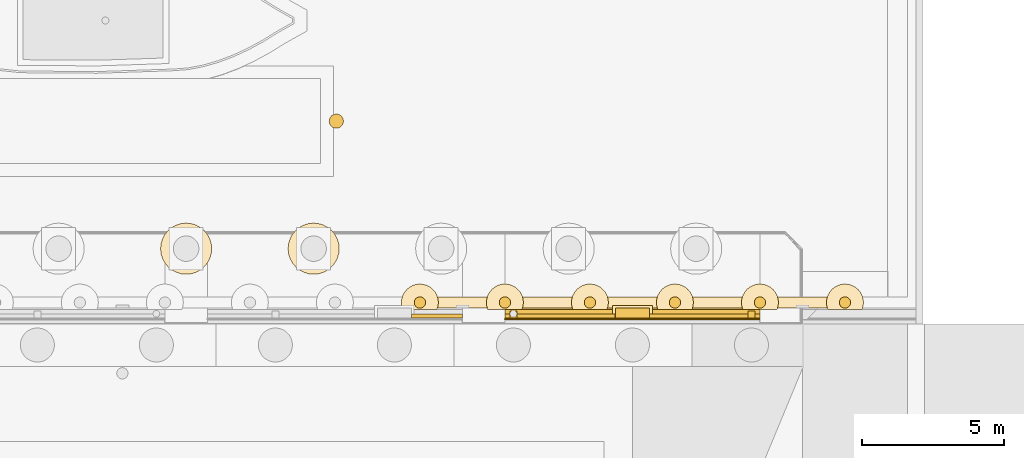
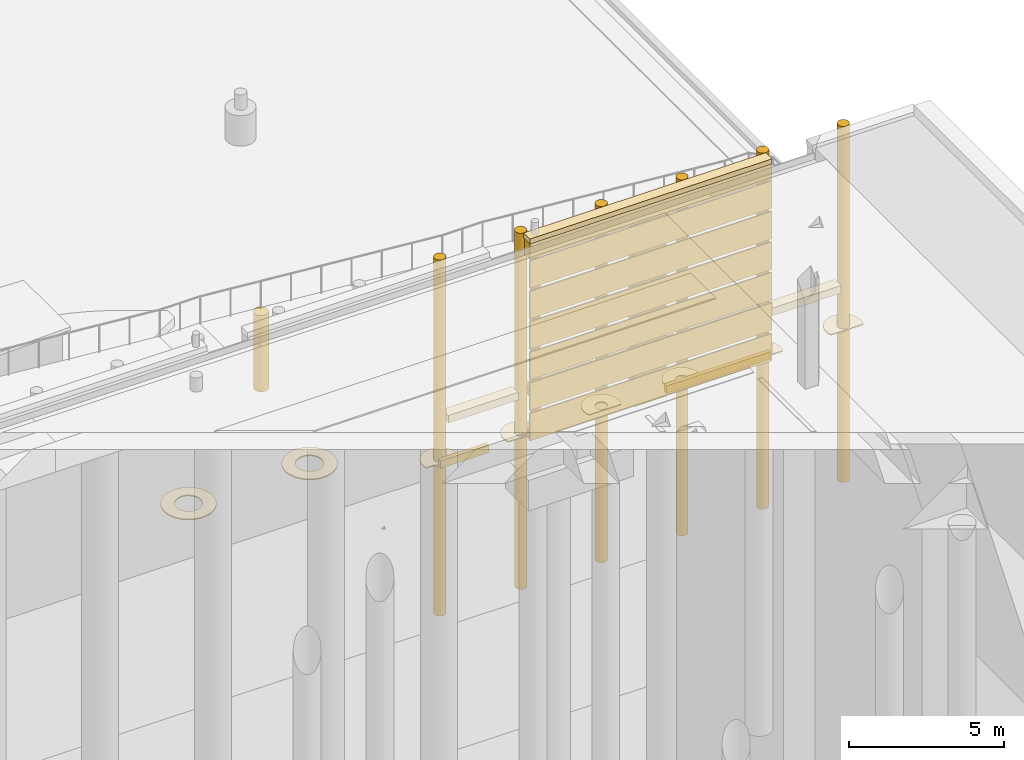
# One storey, part 203 of 222: 35 coverings.
"""IFC4 building model written with IfcOpenShell, lengths in metres."""

from ifc_helpers import new_model, si_unit, direction, frame, origin, origin_2d, place, context, subcontext, project, spatial, polyline, circle, outline, extrude, material, layer, layer_set, type_object, element, save


model = new_model("IFC4")

# Units and contexts
model_context = context("Model", 3, precision=1e-05, world=origin(), true_north=direction((0.0, 1.0)))
body_context = subcontext(model_context, "Body", "Model", "MODEL_VIEW")
ifc_project = project(units=[si_unit("LENGTHUNIT", "METRE"), si_unit("AREAUNIT", "SQUARE_METRE"), si_unit("VOLUMEUNIT", "CUBIC_METRE"), si_unit("PLANEANGLEUNIT", "RADIAN"), si_unit("MASSUNIT", "GRAM", prefix="KILO")], contexts=[model_context])

# Site, building, storey
site_placement = place(None, origin())
site = spatial("IfcSite", under=ifc_project, at=site_placement, CompositionType="ELEMENT")
building_placement = place(site_placement, origin())
building = spatial("IfcBuilding", under=site, at=building_placement, Name="Sava Quay Ferry Terminal", CompositionType="ELEMENT")
storey_placement = place(building_placement, origin())
storey = spatial("IfcBuildingStorey", under=building, at=storey_placement, Name="L00", CompositionType="ELEMENT", Elevation=0.0)

# Coverings
ifc_material_1 = material(Name="Greenheart timber", Category="wood")
ifc_layer_1 = layer(ifc_material_1, 0.25)
ifc_layer_set_1 = layer_set([ifc_layer_1], Name="Greenheart timber")
covering_type_1 = type_object("IfcCoveringType", Name="Fender post 250", PredefinedType="CLADDING", material=ifc_layer_set_1)
covering_1_placement = place(storey_placement, frame((0.0, 0.0, -7.60009765625)))
element("IfcCovering", 1, at=covering_1_placement, inside=storey, type_object=covering_type_1, Name="Fender post", PredefinedType="CLADDING", context=body_context, shape_type="SweptSolid", body=[
    extrude(outline(polyline([(163.925048828125, 118.550048828125), (163.925048828125, 118.800048828125), (163.675048828125, 118.800048828125), (163.675048828125, 118.550048828125), (163.925048828125, 118.550048828125)])), origin(), (0.0, 0.0, 1.0), 6.650146484375),
])
covering_2_placement = place(storey_placement, frame((0.0, 0.0, -7.60009765625)))
element("IfcCovering", 2, at=covering_2_placement, inside=storey, type_object=covering_type_1, Name="Fender post", PredefinedType="CLADDING", context=body_context, shape_type="SweptSolid", body=[
    extrude(outline(polyline([(172.324951171875, 118.550048828125), (172.324951171875, 118.800048828125), (172.074951171875, 118.800048828125), (172.074951171875, 118.550048828125), (172.324951171875, 118.550048828125)])), origin(), (0.0, 0.0, 1.0), 6.650146484375),
])
ifc_material_2 = material(Name="Greenheart timber", Category="wood")
ifc_layer_2 = layer(ifc_material_2, 0.14990234375)
ifc_layer_set_2 = layer_set([ifc_layer_2], Name="Greenheart timber")
covering_type_2 = type_object("IfcCoveringType", Name="Fender rubbing strip 150", PredefinedType="CLADDING", material=ifc_layer_set_2)
covering_3_placement = place(storey_placement, frame((0.0, 0.0, -7.89990234375)))
element("IfcCovering", 3, at=covering_3_placement, inside=storey, type_object=covering_type_2, Name="Fender rubbing strip", PredefinedType="CLADDING", context=body_context, shape_type="SweptSolid", body=[
    extrude(outline(polyline([(172.5, 118.550048828125), (172.5, 118.699951171875), (168.610107421875, 118.699951171875), (168.610107421875, 118.550048828125), (172.5, 118.550048828125)])), origin(), (0.0, 0.0, 1.0), 0.2998046875),
])
covering_4_placement = place(storey_placement, frame((0.0, 0.0, -7.89990234375)))
element("IfcCovering", 4, at=covering_4_placement, inside=storey, type_object=covering_type_2, Name="Fender rubbing strip", PredefinedType="CLADDING", context=body_context, shape_type="SweptSolid", body=[
    extrude(outline(polyline([(163.5, 118.550048828125), (167.389892578125, 118.550048828125), (167.389892578125, 118.699951171875), (163.5, 118.699951171875), (163.5, 118.550048828125)])), origin(), (0.0, 0.0, 1.0), 0.2998046875),
])
covering_5_placement = place(storey_placement, frame((0.0, 0.0, -7.89990234375)))
element("IfcCovering", 5, at=covering_5_placement, inside=storey, type_object=covering_type_2, Name="Fender rubbing strip", PredefinedType="CLADDING", context=body_context, shape_type="SweptSolid", body=[
    extrude(outline(polyline([(162.0, 118.550048828125), (162.0, 118.699951171875), (160.2099609375, 118.699951171875), (160.2099609375, 118.550048828125), (162.0, 118.550048828125)])), origin(), (0.0, 0.0, 1.0), 0.2998046875),
])
ifc_material_3 = material(Name="Timber", Category="wood")
ifc_layer_3 = layer(ifc_material_3, 0.5)
ifc_layer_set_3 = layer_set([ifc_layer_3], Name="Timber")
covering_type_3 = type_object("IfcCoveringType", Name="Pontoon dolphin post 500", PredefinedType="CLADDING", material=ifc_layer_set_3)
covering_6_placement = place(storey_placement, frame((157.550048828125, 125.5, -5.0), z_axis=(0.0, 0.0, -1.0), x_axis=(1.0, 0.0, 0.0)))
element("IfcCovering", 6, at=covering_6_placement, inside=storey, type_object=covering_type_3, Name="Pontoon dolphin post", PredefinedType="CLADDING", context=body_context, shape_type="SweptSolid", body=[
    extrude(circle(Radius=0.25, at=origin_2d()), origin(), (0.0, 0.0, 1.0), 3.0),
])
ifc_material_4 = material(Name="Timber", Category="wood")
ifc_layer_4 = layer(ifc_material_4, 0.39990234375)
ifc_layer_set_4 = layer_set([ifc_layer_4], Name="Timber")
covering_type_4 = type_object("IfcCoveringType", Name="Quay fender pile 400", PredefinedType="CLADDING", material=ifc_layer_set_4)
for number, where, z_axis, x_axis, name in (
    (7, (160.5, 119.10009765625, 0.0), (0.0, 0.0, -1.0), (1.0, 0.0, 0.0), "Quay fender pile"),
    (8, (163.5, 119.10009765625, 0.0), (0.0, 0.0, -1.0), (1.0, 0.0, 0.0), "Quay fender pile"),
    (9, (166.5, 119.10009765625, 0.0), (0.0, 0.0, -1.0), (1.0, 0.0, 0.0), "Quay fender pile"),
    (10, (169.5, 119.10009765625, 0.0), (0.0, 0.0, -1.0), (1.0, 0.0, 0.0), "Quay fender pile"),
    (11, (172.5, 119.10009765625, 0.0), (0.0, 0.0, -1.0), (1.0, 0.0, 0.0), "Quay fender pile"),
    (12, (175.5, 119.10009765625, 0.0), (0.0, 0.0, -1.0), (1.0, 0.0, 0.0), "Quay fender pile"),
):
    element("IfcCovering", number, at=place(storey_placement, frame(where, z_axis=z_axis, x_axis=x_axis)), inside=storey, type_object=covering_type_4, Name=name, PredefinedType="CLADDING", context=body_context, shape_type="SweptSolid", body=[
        extrude(circle(Radius=0.199951171875, at=origin_2d()), origin(), (0.0, 0.0, 1.0), 14.0),
    ])
ifc_material_5 = material(Name="Timber", Category="wood")
ifc_layer_5 = layer(ifc_material_5, 0.39990234375)
ifc_layer_set_5 = layer_set([ifc_layer_5], Name="Timber")
covering_type_5 = type_object("IfcCoveringType", Name="Quay fender waling", PredefinedType="MOLDING", material=ifc_layer_set_5)
covering_7_placement = place(storey_placement, frame((0.0, 0.0, -6.5)))
element("IfcCovering", 13, at=covering_7_placement, inside=storey, type_object=covering_type_5, Name="Quay fender waling", PredefinedType="MOLDING", context=body_context, shape_type="SweptSolid", body=[
    extrude(outline(polyline([(163.300048828125, 118.89990234375), (163.300048828125, 119.300048828125), (160.699951171875, 119.300048828125), (160.699951171875, 118.89990234375), (163.300048828125, 118.89990234375)])), origin(), (0.0, 0.0, 1.0), 0.300048828125),
])
covering_8_placement = place(storey_placement, frame((0.0, 0.0, -6.5)))
element("IfcCovering", 14, at=covering_8_placement, inside=storey, type_object=covering_type_5, Name="Quay fender waling", PredefinedType="MOLDING", context=body_context, shape_type="SweptSolid", body=[
    extrude(outline(polyline([(166.300048828125, 118.89990234375), (166.300048828125, 119.300048828125), (163.699951171875, 119.300048828125), (163.699951171875, 118.89990234375), (166.300048828125, 118.89990234375)])), origin(), (0.0, 0.0, 1.0), 0.300048828125),
])
covering_9_placement = place(storey_placement, frame((0.0, 0.0, -6.5)))
element("IfcCovering", 15, at=covering_9_placement, inside=storey, type_object=covering_type_5, Name="Quay fender waling", PredefinedType="MOLDING", context=body_context, shape_type="SweptSolid", body=[
    extrude(outline(polyline([(169.300048828125, 118.89990234375), (169.300048828125, 119.300048828125), (166.699951171875, 119.300048828125), (166.699951171875, 118.89990234375), (169.300048828125, 118.89990234375)])), origin(), (0.0, 0.0, 1.0), 0.300048828125),
])
covering_10_placement = place(storey_placement, frame((0.0, 0.0, -6.5)))
element("IfcCovering", 16, at=covering_10_placement, inside=storey, type_object=covering_type_5, Name="Quay fender waling", PredefinedType="MOLDING", context=body_context, shape_type="SweptSolid", body=[
    extrude(outline(polyline([(172.300048828125, 118.89990234375), (172.300048828125, 119.300048828125), (169.699951171875, 119.300048828125), (169.699951171875, 118.89990234375), (172.300048828125, 118.89990234375)])), origin(), (0.0, 0.0, 1.0), 0.300048828125),
])
covering_11_placement = place(storey_placement, frame((0.0, 0.0, -6.5)))
element("IfcCovering", 17, at=covering_11_placement, inside=storey, type_object=covering_type_5, Name="Quay fender waling", PredefinedType="MOLDING", context=body_context, shape_type="SweptSolid", body=[
    extrude(outline(polyline([(175.300048828125, 118.89990234375), (175.300048828125, 119.300048828125), (172.699951171875, 119.300048828125), (172.699951171875, 118.89990234375), (175.300048828125, 118.89990234375)])), origin(), (0.0, 0.0, 1.0), 0.300048828125),
])
ifc_material_6 = material(Name="Limestone Mutalj", Category="masonry")
ifc_layer_6 = layer(ifc_material_6, 0.449951171875)
ifc_layer_set_6 = layer_set([ifc_layer_6], Name="Limestone Mutalj")
covering_type_6 = type_object("IfcCoveringType", Name="Quay pilaster cap 1400", PredefinedType="MOLDING", material=ifc_layer_set_6)
covering_12_placement = place(storey_placement, frame((0.0, 0.0, -0.949951171875)))
element("IfcCovering", 18, at=covering_12_placement, inside=storey, type_object=covering_type_6, Name="Quay pilaster cap", PredefinedType="MOLDING", context=body_context, shape_type="SweptSolid", body=[
    extrude(outline(polyline([(168.699951171875, 118.550048828125), (168.699951171875, 119.0), (167.300048828125, 119.0), (167.300048828125, 118.550048828125), (168.699951171875, 118.550048828125)])), origin(), (0.0, 0.0, 1.0), 0.14990234375),
])
ifc_material_7 = material(Name="Limestone Mutalj", Category="masonry")
ifc_layer_7 = layer(ifc_material_7, 0.39990234375)
ifc_layer_set_7 = layer_set([ifc_layer_7], Name="Limestone Mutalj")
covering_type_7 = type_object("IfcCoveringType", Name="Quay wall coping 400", PredefinedType="MOLDING", material=ifc_layer_set_7)
covering_13_placement = place(storey_placement, frame((0.0, 0.0, -0.199951171875)))
element("IfcCovering", 19, at=covering_13_placement, inside=storey, type_object=covering_type_7, Name="Quay wall coping", PredefinedType="MOLDING", context=body_context, shape_type="SweptSolid", body=[
    extrude(outline(polyline([(172.5, 118.89990234375), (163.5, 118.89990234375), (163.5, 118.5), (172.5, 118.5), (172.5, 118.89990234375)])), origin(), (0.0, 0.0, 1.0), 0.199951171875),
])
ifc_material_8 = material(Name="Limestone Mutalj", Category="masonry")
ifc_layer_8 = layer(ifc_material_8, 0.35009765625)
ifc_layer_set_8 = layer_set([ifc_layer_8], Name="Limestone Mutalj")
covering_type_8 = type_object("IfcCoveringType", Name="Quay wall cornice 350", PredefinedType="MOLDING", material=ifc_layer_set_8)
covering_14_placement = place(storey_placement, frame((0.0, 0.0, -0.800048828125)))
element("IfcCovering", 20, at=covering_14_placement, inside=storey, type_object=covering_type_8, Name="Quay wall cornice", PredefinedType="MOLDING", context=body_context, shape_type="SweptSolid", body=[
    extrude(outline(polyline([(172.5, 118.85009765625), (163.5, 118.85009765625), (163.5, 118.5), (172.5, 118.5), (172.5, 118.85009765625)])), origin(), (0.0, 0.0, 1.0), 0.60009765625),
])
ifc_material_9 = material(Name="Limestone Mutalj", Category="masonry")
ifc_layer_9 = layer(ifc_material_9, 0.35009765625)
ifc_layer_set_9 = layer_set([ifc_layer_9], Name="Limestone Mutalj")
covering_type_9 = type_object("IfcCoveringType", Name="Quay wall pilaster 1200", PredefinedType="CLADDING", material=ifc_layer_set_9)
covering_15_placement = place(storey_placement, frame((0.0, 0.0, -8.0)))
element("IfcCovering", 21, at=covering_15_placement, inside=storey, type_object=covering_type_9, Name="Quay wall pilaster", PredefinedType="CLADDING", context=body_context, shape_type="SweptSolid", body=[
    extrude(outline(polyline([(168.60009765625, 118.550048828125), (168.60009765625, 118.89990234375), (167.39990234375, 118.89990234375), (167.39990234375, 118.550048828125), (168.60009765625, 118.550048828125)])), origin(), (0.0, 0.0, 1.0), 7.050048828125),
])
ifc_material_10 = material(Name="Water")
ifc_layer_10 = layer(ifc_material_10, 0.0400390625)
ifc_layer_set_10 = layer_set([ifc_layer_10], Name="Water")
covering_type_10 = type_object("IfcCoveringType", Name="River foam collar", PredefinedType="CLADDING", material=ifc_layer_set_10)
covering_16_placement = place(storey_placement, frame((0.0, 0.0, -8.0)))
element("IfcCovering", 22, at=covering_16_placement, inside=storey, type_object=covering_type_10, Name="River foam collar", PredefinedType="CLADDING", context=body_context, shape_type="SweptSolid", body=[
    extrude(outline(polyline([(151.364990234375, 120.823974609375), (151.416015625, 120.655029296875), (151.5, 120.4990234375), (151.612060546875, 120.362060546875), (151.7490234375, 120.25), (151.905029296875, 120.166015625), (152.073974609375, 120.114990234375), (152.25, 120.097900390625), (152.426025390625, 120.114990234375), (152.594970703125, 120.166015625), (152.7509765625, 120.25), (152.887939453125, 120.362060546875), (153.0, 120.4990234375), (153.083984375, 120.655029296875), (153.135009765625, 120.823974609375), (153.152099609375, 121.0), (153.135009765625, 121.176025390625), (153.083984375, 121.344970703125), (153.0, 121.5009765625), (152.887939453125, 121.637939453125), (152.7509765625, 121.75), (152.594970703125, 121.833984375), (152.426025390625, 121.885009765625), (152.25, 121.902099609375), (152.073974609375, 121.885009765625), (151.905029296875, 121.833984375), (151.7490234375, 121.75), (151.612060546875, 121.637939453125), (151.5, 121.5009765625), (151.416015625, 121.344970703125), (151.364990234375, 121.176025390625), (151.347900390625, 121.0), (151.364990234375, 120.823974609375)]), holes=[polyline([(151.80908203125, 121.087890625), (151.833984375, 121.172119140625), (151.8759765625, 121.25), (151.931884765625, 121.318115234375), (152.0, 121.3740234375), (152.077880859375, 121.416015625), (152.162109375, 121.44091796875), (152.25, 121.449951171875), (152.337890625, 121.44091796875), (152.422119140625, 121.416015625), (152.5, 121.3740234375), (152.568115234375, 121.318115234375), (152.6240234375, 121.25), (152.666015625, 121.172119140625), (152.69091796875, 121.087890625), (152.699951171875, 121.0), (152.69091796875, 120.912109375), (152.666015625, 120.827880859375), (152.6240234375, 120.75), (152.568115234375, 120.681884765625), (152.5, 120.6259765625), (152.422119140625, 120.583984375), (152.337890625, 120.55908203125), (152.25, 120.550048828125), (152.162109375, 120.55908203125), (152.077880859375, 120.583984375), (152.0, 120.6259765625), (151.931884765625, 120.681884765625), (151.8759765625, 120.75), (151.833984375, 120.827880859375), (151.80908203125, 120.912109375), (151.800048828125, 121.0), (151.80908203125, 121.087890625)])]), origin(), (0.0, 0.0, 1.0), 0.0400390625),
])
covering_17_placement = place(storey_placement, frame((0.0, 0.0, -8.0)))
element("IfcCovering", 23, at=covering_17_placement, inside=storey, type_object=covering_type_10, Name="River foam collar", PredefinedType="CLADDING", context=body_context, shape_type="SweptSolid", body=[
    extrude(outline(polyline([(155.847900390625, 121.0), (155.864990234375, 120.823974609375), (155.916015625, 120.655029296875), (156.0, 120.4990234375), (156.112060546875, 120.362060546875), (156.2490234375, 120.25), (156.405029296875, 120.166015625), (156.573974609375, 120.114990234375), (156.75, 120.097900390625), (156.926025390625, 120.114990234375), (157.094970703125, 120.166015625), (157.2509765625, 120.25), (157.387939453125, 120.362060546875), (157.5, 120.4990234375), (157.583984375, 120.655029296875), (157.635009765625, 120.823974609375), (157.652099609375, 121.0), (157.635009765625, 121.176025390625), (157.583984375, 121.344970703125), (157.5, 121.5009765625), (157.387939453125, 121.637939453125), (157.2509765625, 121.75), (157.094970703125, 121.833984375), (156.926025390625, 121.885009765625), (156.75, 121.902099609375), (156.573974609375, 121.885009765625), (156.405029296875, 121.833984375), (156.2490234375, 121.75), (156.112060546875, 121.637939453125), (156.0, 121.5009765625), (155.916015625, 121.344970703125), (155.864990234375, 121.176025390625), (155.847900390625, 121.0)]), holes=[polyline([(156.300048828125, 121.0), (156.30908203125, 121.087890625), (156.333984375, 121.172119140625), (156.3759765625, 121.25), (156.431884765625, 121.318115234375), (156.5, 121.3740234375), (156.577880859375, 121.416015625), (156.662109375, 121.44091796875), (156.75, 121.449951171875), (156.837890625, 121.44091796875), (156.922119140625, 121.416015625), (157.0, 121.3740234375), (157.068115234375, 121.318115234375), (157.1240234375, 121.25), (157.166015625, 121.172119140625), (157.19091796875, 121.087890625), (157.199951171875, 121.0), (157.19091796875, 120.912109375), (157.166015625, 120.827880859375), (157.1240234375, 120.75), (157.068115234375, 120.681884765625), (157.0, 120.6259765625), (156.922119140625, 120.583984375), (156.837890625, 120.55908203125), (156.75, 120.550048828125), (156.662109375, 120.55908203125), (156.577880859375, 120.583984375), (156.5, 120.6259765625), (156.431884765625, 120.681884765625), (156.3759765625, 120.75), (156.333984375, 120.827880859375), (156.30908203125, 120.912109375), (156.300048828125, 121.0)])]), origin(), (0.0, 0.0, 1.0), 0.0400390625),
])
covering_18_placement = place(storey_placement, frame((0.0, 0.0, -8.0)))
element("IfcCovering", 24, at=covering_18_placement, inside=storey, type_object=covering_type_10, Name="River foam collar", PredefinedType="CLADDING", context=body_context, shape_type="SweptSolid", body=[
    extrude(outline(polyline([(161.10302734375, 119.35009765625), (161.0419921875, 119.4619140625), (160.9609375, 119.56103515625), (160.862060546875, 119.64208984375), (160.75, 119.702880859375), (160.626953125, 119.739990234375), (160.5, 119.751953125), (160.373046875, 119.739990234375), (160.25, 119.702880859375), (160.137939453125, 119.64208984375), (160.0390625, 119.56103515625), (159.9580078125, 119.4619140625), (159.89697265625, 119.35009765625), (159.860107421875, 119.22705078125), (159.847900390625, 119.10009765625), (159.860107421875, 118.972900390625), (159.882080078125, 118.89990234375), (160.199951171875, 118.89990234375), (160.199951171875, 118.85009765625), (161.10205078125, 118.85009765625), (161.139892578125, 118.972900390625), (161.152099609375, 119.10009765625), (161.139892578125, 119.22705078125), (161.10302734375, 119.35009765625)]), holes=[polyline([(160.31494140625, 119.177001953125), (160.333984375, 119.2109375), (160.35888671875, 119.240966796875), (160.388916015625, 119.26611328125), (160.423095703125, 119.284912109375), (160.4609375, 119.2958984375), (160.5, 119.300048828125), (160.5390625, 119.2958984375), (160.576904296875, 119.284912109375), (160.611083984375, 119.26611328125), (160.64111328125, 119.240966796875), (160.666015625, 119.2109375), (160.68505859375, 119.177001953125), (160.696044921875, 119.138916015625), (160.699951171875, 119.10009765625), (160.696044921875, 119.06103515625), (160.68505859375, 119.02294921875), (160.666015625, 118.989013671875), (160.64111328125, 118.958984375), (160.611083984375, 118.93408203125), (160.576904296875, 118.9150390625), (160.5390625, 118.904052734375), (160.5, 118.89990234375), (160.4609375, 118.904052734375), (160.423095703125, 118.9150390625), (160.388916015625, 118.93408203125), (160.35888671875, 118.958984375), (160.333984375, 118.989013671875), (160.31494140625, 119.02294921875), (160.303955078125, 119.06103515625), (160.300048828125, 119.10009765625), (160.303955078125, 119.138916015625), (160.31494140625, 119.177001953125)])]), origin(), (0.0, 0.0, 1.0), 0.0400390625),
])
covering_19_placement = place(storey_placement, frame((0.0, 0.0, -8.0)))
element("IfcCovering", 25, at=covering_19_placement, inside=storey, type_object=covering_type_10, Name="River foam collar", PredefinedType="CLADDING", context=body_context, shape_type="SweptSolid", body=[
    extrude(outline(polyline([(162.89697265625, 118.85009765625), (164.10205078125, 118.85009765625), (164.139892578125, 118.972900390625), (164.152099609375, 119.10009765625), (164.139892578125, 119.22705078125), (164.10302734375, 119.35009765625), (164.0419921875, 119.4619140625), (163.9609375, 119.56103515625), (163.862060546875, 119.64208984375), (163.75, 119.702880859375), (163.626953125, 119.739990234375), (163.5, 119.751953125), (163.373046875, 119.739990234375), (163.25, 119.702880859375), (163.137939453125, 119.64208984375), (163.0390625, 119.56103515625), (162.9580078125, 119.4619140625), (162.89697265625, 119.35009765625), (162.860107421875, 119.22705078125), (162.847900390625, 119.10009765625), (162.860107421875, 118.972900390625), (162.89697265625, 118.85009765625)]), holes=[polyline([(163.303955078125, 119.138916015625), (163.31494140625, 119.177001953125), (163.333984375, 119.2109375), (163.35888671875, 119.240966796875), (163.388916015625, 119.26611328125), (163.423095703125, 119.284912109375), (163.4609375, 119.2958984375), (163.5, 119.300048828125), (163.5390625, 119.2958984375), (163.576904296875, 119.284912109375), (163.611083984375, 119.26611328125), (163.64111328125, 119.240966796875), (163.666015625, 119.2109375), (163.68505859375, 119.177001953125), (163.696044921875, 119.138916015625), (163.699951171875, 119.10009765625), (163.696044921875, 119.06103515625), (163.68505859375, 119.02294921875), (163.666015625, 118.989013671875), (163.64111328125, 118.958984375), (163.611083984375, 118.93408203125), (163.576904296875, 118.9150390625), (163.5390625, 118.904052734375), (163.5, 118.89990234375), (163.4609375, 118.904052734375), (163.423095703125, 118.9150390625), (163.388916015625, 118.93408203125), (163.35888671875, 118.958984375), (163.333984375, 118.989013671875), (163.31494140625, 119.02294921875), (163.303955078125, 119.06103515625), (163.300048828125, 119.10009765625), (163.303955078125, 119.138916015625)])]), origin(), (0.0, 0.0, 1.0), 0.0400390625),
])
covering_20_placement = place(storey_placement, frame((0.0, 0.0, -8.0)))
element("IfcCovering", 26, at=covering_20_placement, inside=storey, type_object=covering_type_10, Name="River foam collar", PredefinedType="CLADDING", context=body_context, shape_type="SweptSolid", body=[
    extrude(outline(polyline([(165.860107421875, 118.972900390625), (165.89794921875, 118.85009765625), (167.10205078125, 118.85009765625), (167.139892578125, 118.972900390625), (167.152099609375, 119.10009765625), (167.139892578125, 119.22705078125), (167.10302734375, 119.35009765625), (167.0419921875, 119.4619140625), (166.9609375, 119.56103515625), (166.862060546875, 119.64208984375), (166.75, 119.702880859375), (166.626953125, 119.739990234375), (166.5, 119.751953125), (166.373046875, 119.739990234375), (166.25, 119.702880859375), (166.137939453125, 119.64208984375), (166.0390625, 119.56103515625), (165.9580078125, 119.4619140625), (165.89697265625, 119.35009765625), (165.860107421875, 119.22705078125), (165.847900390625, 119.10009765625), (165.860107421875, 118.972900390625)]), holes=[polyline([(166.300048828125, 119.10009765625), (166.303955078125, 119.138916015625), (166.31494140625, 119.177001953125), (166.333984375, 119.2109375), (166.35888671875, 119.240966796875), (166.388916015625, 119.26611328125), (166.423095703125, 119.284912109375), (166.4609375, 119.2958984375), (166.5, 119.300048828125), (166.5390625, 119.2958984375), (166.576904296875, 119.284912109375), (166.611083984375, 119.26611328125), (166.64111328125, 119.240966796875), (166.666015625, 119.2109375), (166.68505859375, 119.177001953125), (166.696044921875, 119.138916015625), (166.699951171875, 119.10009765625), (166.696044921875, 119.06103515625), (166.68505859375, 119.02294921875), (166.666015625, 118.989013671875), (166.64111328125, 118.958984375), (166.611083984375, 118.93408203125), (166.576904296875, 118.9150390625), (166.5390625, 118.904052734375), (166.5, 118.89990234375), (166.4609375, 118.904052734375), (166.423095703125, 118.9150390625), (166.388916015625, 118.93408203125), (166.35888671875, 118.958984375), (166.333984375, 118.989013671875), (166.31494140625, 119.02294921875), (166.303955078125, 119.06103515625), (166.300048828125, 119.10009765625)])]), origin(), (0.0, 0.0, 1.0), 0.0400390625),
])
covering_21_placement = place(storey_placement, frame((0.0, 0.0, -8.0)))
element("IfcCovering", 27, at=covering_21_placement, inside=storey, type_object=covering_type_10, Name="River foam collar", PredefinedType="CLADDING", context=body_context, shape_type="SweptSolid", body=[
    extrude(outline(polyline([(168.847900390625, 119.10009765625), (168.860107421875, 118.972900390625), (168.89794921875, 118.85009765625), (170.10205078125, 118.85009765625), (170.139892578125, 118.972900390625), (170.152099609375, 119.10009765625), (170.139892578125, 119.22705078125), (170.10302734375, 119.35009765625), (170.0419921875, 119.4619140625), (169.9609375, 119.56103515625), (169.862060546875, 119.64208984375), (169.75, 119.702880859375), (169.626953125, 119.739990234375), (169.5, 119.751953125), (169.373046875, 119.739990234375), (169.25, 119.702880859375), (169.137939453125, 119.64208984375), (169.0390625, 119.56103515625), (168.9580078125, 119.4619140625), (168.89697265625, 119.35009765625), (168.860107421875, 119.22705078125), (168.847900390625, 119.10009765625)]), holes=[polyline([(169.303955078125, 119.06103515625), (169.300048828125, 119.10009765625), (169.303955078125, 119.138916015625), (169.31494140625, 119.177001953125), (169.333984375, 119.2109375), (169.35888671875, 119.240966796875), (169.388916015625, 119.26611328125), (169.423095703125, 119.284912109375), (169.4609375, 119.2958984375), (169.5, 119.300048828125), (169.5390625, 119.2958984375), (169.576904296875, 119.284912109375), (169.611083984375, 119.26611328125), (169.64111328125, 119.240966796875), (169.666015625, 119.2109375), (169.68505859375, 119.177001953125), (169.696044921875, 119.138916015625), (169.699951171875, 119.10009765625), (169.696044921875, 119.06103515625), (169.68505859375, 119.02294921875), (169.666015625, 118.989013671875), (169.64111328125, 118.958984375), (169.611083984375, 118.93408203125), (169.576904296875, 118.9150390625), (169.5390625, 118.904052734375), (169.5, 118.89990234375), (169.4609375, 118.904052734375), (169.423095703125, 118.9150390625), (169.388916015625, 118.93408203125), (169.35888671875, 118.958984375), (169.333984375, 118.989013671875), (169.31494140625, 119.02294921875), (169.303955078125, 119.06103515625)])]), origin(), (0.0, 0.0, 1.0), 0.0400390625),
])
covering_22_placement = place(storey_placement, frame((0.0, 0.0, -8.0)))
element("IfcCovering", 28, at=covering_22_placement, inside=storey, type_object=covering_type_10, Name="River foam collar", PredefinedType="CLADDING", context=body_context, shape_type="SweptSolid", body=[
    extrude(outline(polyline([(171.860107421875, 119.22705078125), (171.847900390625, 119.10009765625), (171.860107421875, 118.972900390625), (171.89794921875, 118.85009765625), (173.10205078125, 118.85009765625), (173.139892578125, 118.972900390625), (173.152099609375, 119.10009765625), (173.139892578125, 119.22705078125), (173.10302734375, 119.35009765625), (173.0419921875, 119.4619140625), (172.9609375, 119.56103515625), (172.862060546875, 119.64208984375), (172.75, 119.702880859375), (172.626953125, 119.739990234375), (172.5, 119.751953125), (172.373046875, 119.739990234375), (172.25, 119.702880859375), (172.137939453125, 119.64208984375), (172.0390625, 119.56103515625), (171.9580078125, 119.4619140625), (171.89697265625, 119.35009765625), (171.860107421875, 119.22705078125)]), holes=[polyline([(172.31494140625, 119.02294921875), (172.303955078125, 119.06103515625), (172.300048828125, 119.10009765625), (172.303955078125, 119.138916015625), (172.31494140625, 119.177001953125), (172.333984375, 119.2109375), (172.35888671875, 119.240966796875), (172.388916015625, 119.26611328125), (172.423095703125, 119.284912109375), (172.4609375, 119.2958984375), (172.5, 119.300048828125), (172.5390625, 119.2958984375), (172.576904296875, 119.284912109375), (172.611083984375, 119.26611328125), (172.64111328125, 119.240966796875), (172.666015625, 119.2109375), (172.68505859375, 119.177001953125), (172.696044921875, 119.138916015625), (172.699951171875, 119.10009765625), (172.696044921875, 119.06103515625), (172.68505859375, 119.02294921875), (172.666015625, 118.989013671875), (172.64111328125, 118.958984375), (172.611083984375, 118.93408203125), (172.576904296875, 118.9150390625), (172.5390625, 118.904052734375), (172.5, 118.89990234375), (172.4609375, 118.904052734375), (172.423095703125, 118.9150390625), (172.388916015625, 118.93408203125), (172.35888671875, 118.958984375), (172.333984375, 118.989013671875), (172.31494140625, 119.02294921875)])]), origin(), (0.0, 0.0, 1.0), 0.0400390625),
])
covering_23_placement = place(storey_placement, frame((0.0, 0.0, -8.0)))
element("IfcCovering", 29, at=covering_23_placement, inside=storey, type_object=covering_type_10, Name="River foam collar", PredefinedType="CLADDING", context=body_context, shape_type="SweptSolid", body=[
    extrude(outline(polyline([(174.89697265625, 119.35009765625), (174.860107421875, 119.22705078125), (174.847900390625, 119.10009765625), (174.860107421875, 118.972900390625), (174.89794921875, 118.85009765625), (176.10302734375, 118.85009765625), (176.139892578125, 118.972900390625), (176.152099609375, 119.10009765625), (176.139892578125, 119.22705078125), (176.10302734375, 119.35009765625), (176.0419921875, 119.4619140625), (175.9609375, 119.56103515625), (175.862060546875, 119.64208984375), (175.75, 119.702880859375), (175.626953125, 119.739990234375), (175.5, 119.751953125), (175.373046875, 119.739990234375), (175.25, 119.702880859375), (175.137939453125, 119.64208984375), (175.0390625, 119.56103515625), (174.9580078125, 119.4619140625), (174.89697265625, 119.35009765625)]), holes=[polyline([(175.333984375, 118.989013671875), (175.31494140625, 119.02294921875), (175.303955078125, 119.06103515625), (175.300048828125, 119.10009765625), (175.303955078125, 119.138916015625), (175.31494140625, 119.177001953125), (175.333984375, 119.2109375), (175.35888671875, 119.240966796875), (175.388916015625, 119.26611328125), (175.423095703125, 119.284912109375), (175.4609375, 119.2958984375), (175.5, 119.300048828125), (175.5390625, 119.2958984375), (175.576904296875, 119.284912109375), (175.611083984375, 119.26611328125), (175.64111328125, 119.240966796875), (175.666015625, 119.2109375), (175.68505859375, 119.177001953125), (175.696044921875, 119.138916015625), (175.699951171875, 119.10009765625), (175.696044921875, 119.06103515625), (175.68505859375, 119.02294921875), (175.666015625, 118.989013671875), (175.64111328125, 118.958984375), (175.611083984375, 118.93408203125), (175.576904296875, 118.9150390625), (175.5390625, 118.904052734375), (175.5, 118.89990234375), (175.4609375, 118.904052734375), (175.423095703125, 118.9150390625), (175.388916015625, 118.93408203125), (175.35888671875, 118.958984375), (175.333984375, 118.989013671875)])]), origin(), (0.0, 0.0, 1.0), 0.0400390625),
])
ifc_material_11 = material(Name="Limestone Mutalj", Category="masonry")
ifc_layer_11 = layer(ifc_material_11, 0.050048828125)
ifc_layer_set_11 = layer_set([ifc_layer_11], Name="Limestone Mutalj")
covering_type_11 = type_object("IfcCoveringType", Name="Rustication course 250", PredefinedType="MOLDING", material=ifc_layer_set_11)
covering_24_placement = place(storey_placement, frame((0.0, 0.0, -7.93994140625)))
element("IfcCovering", 30, at=covering_24_placement, inside=storey, type_object=covering_type_11, Name="Rustication course", PredefinedType="MOLDING", context=body_context, shape_type="SweptSolid", body=[
    extrude(outline(polyline([(172.5, 118.550048828125), (163.5, 118.550048828125), (163.5, 118.5), (172.5, 118.5), (172.5, 118.550048828125)])), origin(), (0.0, 0.0, 1.0), 1.079833984375),
])
for number, where, name in (
    (31, (0.0, 0.0, -6.739990234375), "Rustication course"),
    (32, (0.0, 0.0, -5.5400390625), "Rustication course"),
    (33, (0.0, 0.0, -4.340087890625), "Rustication course"),
):
    element("IfcCovering", number, at=place(storey_placement, frame(where)), inside=storey, type_object=covering_type_11, Name=name, PredefinedType="MOLDING", context=body_context, shape_type="SweptSolid", body=[
        extrude(outline(polyline([(172.5, 118.550048828125), (163.5, 118.550048828125), (163.5, 118.5), (172.5, 118.5), (172.5, 118.550048828125)])), origin(), (0.0, 0.0, 1.0), 1.080078125),
    ])
for number, where, name in (
    (34, (0.0, 0.0, -3.139892578125), "Rustication course"),
    (35, (0.0, 0.0, -1.93994140625), "Rustication course"),
):
    element("IfcCovering", number, at=place(storey_placement, frame(where)), inside=storey, type_object=covering_type_11, Name=name, PredefinedType="MOLDING", context=body_context, shape_type="SweptSolid", body=[
        extrude(outline(polyline([(172.5, 118.550048828125), (163.5, 118.550048828125), (163.5, 118.5), (172.5, 118.5), (172.5, 118.550048828125)])), origin(), (0.0, 0.0, 1.0), 1.079833984375),
    ])

save(model, "model.ifc")
